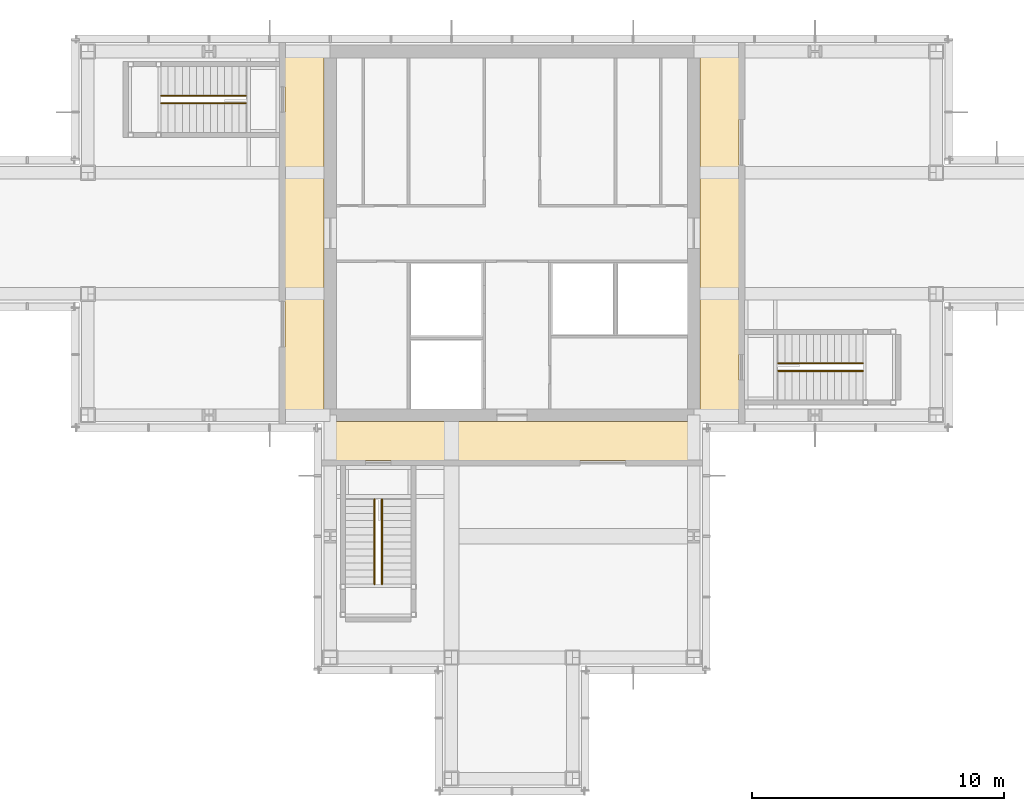
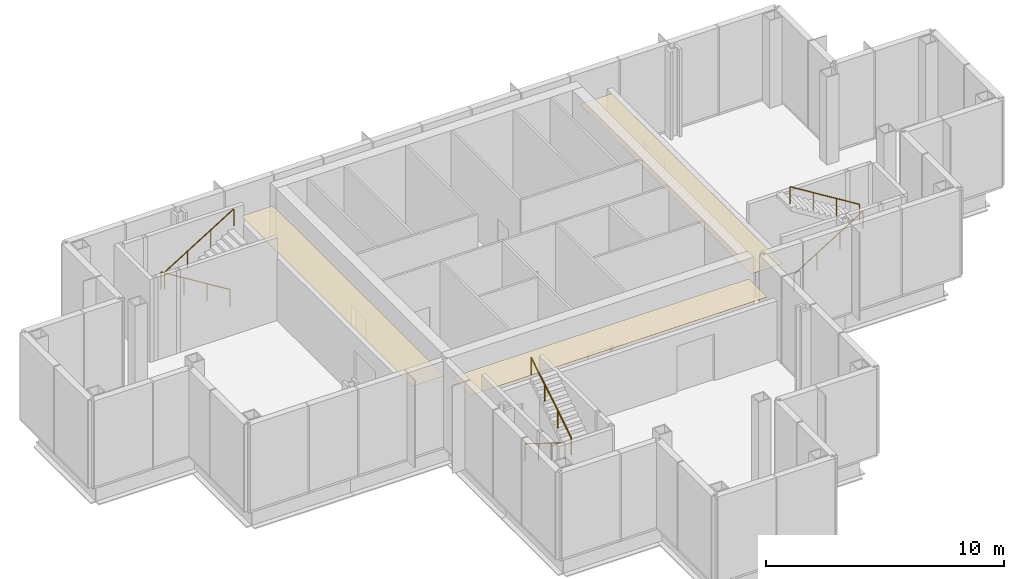
# One storey, part 12 of 12: 6 railings, 3 coverings.
"""IFC4 building model written with IfcOpenShell, lengths in metres."""

from ifc_helpers import new_model, si_unit, direction, frame, origin, origin_2d, place, context, subcontext, project, spatial, polyline, circle, outline, extrude, material, layer, layer_set, type_object, element, save


model = new_model("IFC4")

# Units and contexts
model_context = context("Model", 3, precision=1e-05, world=origin(), true_north=direction((0.0, 1.0)))
body_context = subcontext(model_context, "Body", "Model", "MODEL_VIEW")
ifc_project = project(units=[si_unit("LENGTHUNIT", "METRE"), si_unit("AREAUNIT", "SQUARE_METRE"), si_unit("VOLUMEUNIT", "CUBIC_METRE"), si_unit("PLANEANGLEUNIT", "RADIAN"), si_unit("MASSUNIT", "GRAM", prefix="KILO")], contexts=[model_context])

# Site, building, storey
site_placement = place(None, origin())
site = spatial("IfcSite", under=ifc_project, at=site_placement, CompositionType="ELEMENT")
building_placement = place(site_placement, origin())
building = spatial("IfcBuilding", under=site, at=building_placement, Name="Kvirike Care Tower", CompositionType="ELEMENT")
storey_placement = place(building_placement, frame((0.0, 0.0, 243.5)))
storey = spatial("IfcBuildingStorey", under=building, at=storey_placement, Name="L67", CompositionType="ELEMENT", Elevation=243.5)

# Coverings
ifc_material_1 = material(Name="Perforated metal ceiling tile", Category="aluminium")
ifc_layer = layer(ifc_material_1, 0.014892578125)
ifc_layer_set = layer_set([ifc_layer], Name="CORRIDOR CEILING 15")
covering_type = type_object("IfcCoveringType", Name="CORRIDOR CEILING 15", PredefinedType="CEILING", material=ifc_layer_set)
covering_1_placement = place(storey_placement, frame((0.0, 0.0, 3.199951171875)))
element("IfcCovering", 1, at=covering_1_placement, inside=storey, type_object=covering_type, Name="Corridor ceiling L67", PredefinedType="CEILING", context=body_context, shape_type="SweptSolid", body=[
    extrude(outline(polyline([(12.60009765625, 43.199951171875), (14.14990234375, 43.199951171875), (14.14990234375, 28.800048828125), (12.60009765625, 28.800048828125), (12.60009765625, 43.199951171875)])), origin(), (0.0, 0.0, 1.0), 0.01513671875),
])
covering_2_placement = place(storey_placement, frame((0.0, 0.0, 3.199951171875)))
element("IfcCovering", 2, at=covering_2_placement, inside=storey, type_object=covering_type, Name="Corridor ceiling L67", PredefinedType="CEILING", context=body_context, shape_type="SweptSolid", body=[
    extrude(outline(polyline([(14.39990234375, 27.0), (14.39990234375, 28.550048828125), (28.800048828125, 28.550048828125), (28.800048828125, 27.0), (14.39990234375, 27.0)])), origin(), (0.0, 0.0, 1.0), 0.01513671875),
])
covering_3_placement = place(storey_placement, frame((0.0, 0.0, 3.199951171875)))
element("IfcCovering", 3, at=covering_3_placement, inside=storey, type_object=covering_type, Name="Corridor ceiling L67", PredefinedType="CEILING", context=body_context, shape_type="SweptSolid", body=[
    extrude(outline(polyline([(30.60009765625, 28.800048828125), (29.050048828125, 28.800048828125), (29.050048828125, 43.199951171875), (30.60009765625, 43.199951171875), (30.60009765625, 28.800048828125)])), origin(), (0.0, 0.0, 1.0), 0.01513671875),
])

# Railings
ifc_material_2 = material(Name="Stainless steel handrail", Category="steel")
railing_type = type_object("IfcRailingType", Name="STAIR HANDRAIL 900", PredefinedType="HANDRAIL", material=ifc_material_2)
railing_1_placement = place(storey_placement, frame((11.06005859375, 41.449951171875, 0.173095703125)))
element("IfcRailing", 4, at=railing_1_placement, inside=storey, type_object=railing_type, Name="Stair 1 handrail L67 flight 1", PredefinedType="HANDRAIL", context=body_context, shape_type="SweptSolid", body=[
    extrude(circle(Radius=0.02490234375, at=origin_2d()), frame((0.0, 0.0, 0.875), z_axis=(-0.850623216509, 0.0, 0.525775754039), x_axis=(0.0, -1.0, 0.0)), (0.0, 0.0, 1.0), 3.9501953125),
    extrude(circle(Radius=0.02001953125, at=origin_2d()), origin(), (0.0, 0.0, 1.0), 0.849853515625),
    extrude(circle(Radius=0.02001953125, at=origin_2d()), frame((-1.1201171875, 0.0, 0.6923828125)), (0.0, 0.0, 1.0), 0.849853515625),
    extrude(circle(Radius=0.02001953125, at=origin_2d()), frame((-2.239990234375, 0.0, 1.384521484375)), (0.0, 0.0, 1.0), 0.849853515625),
    extrude(circle(Radius=0.02001953125, at=origin_2d()), frame((-3.360107421875, 0.0, 2.076904296875)), (0.0, 0.0, 1.0), 0.849853515625),
])
for number, where, name in (
    (5, (7.699951171875, 41.14990234375, 2.423095703125), "Stair 1 handrail L67 flight 2"),
    (6, (32.139892578125, 30.550048828125, 0.173095703125), "Stair 2 handrail L67 flight 1"),
):
    element("IfcRailing", number, at=place(storey_placement, frame(where)), inside=storey, type_object=railing_type, Name=name, PredefinedType="HANDRAIL", context=body_context, shape_type="SweptSolid", body=[
        extrude(circle(Radius=0.02490234375, at=origin_2d()), frame((0.0, 0.0, 0.875), z_axis=(0.850623216509, 0.0, 0.525775754039), x_axis=(0.0, 1.0, 0.0)), (0.0, 0.0, 1.0), 3.9501953125),
        extrude(circle(Radius=0.02001953125, at=origin_2d()), origin(), (0.0, 0.0, 1.0), 0.849853515625),
        extrude(circle(Radius=0.02001953125, at=origin_2d()), frame((1.1201171875, 0.0, 0.6923828125)), (0.0, 0.0, 1.0), 0.849853515625),
        extrude(circle(Radius=0.02001953125, at=origin_2d()), frame((2.239990234375, 0.0, 1.384521484375)), (0.0, 0.0, 1.0), 0.849853515625),
        extrude(circle(Radius=0.02001953125, at=origin_2d()), frame((3.360107421875, 0.0, 2.076904296875)), (0.0, 0.0, 1.0), 0.849853515625),
    ])
railing_2_placement = place(storey_placement, frame((35.5, 30.85009765625, 2.423095703125)))
element("IfcRailing", 7, at=railing_2_placement, inside=storey, type_object=railing_type, Name="Stair 2 handrail L67 flight 2", PredefinedType="HANDRAIL", context=body_context, shape_type="SweptSolid", body=[
    extrude(circle(Radius=0.02490234375, at=origin_2d()), frame((0.0, 0.0, 0.875), z_axis=(-0.850623216509, 0.0, 0.525775754039), x_axis=(0.0, -1.0, 0.0)), (0.0, 0.0, 1.0), 3.9501953125),
    extrude(circle(Radius=0.02001953125, at=origin_2d()), origin(), (0.0, 0.0, 1.0), 0.849853515625),
    extrude(circle(Radius=0.02001953125, at=origin_2d()), frame((-1.1201171875, 0.0, 0.6923828125)), (0.0, 0.0, 1.0), 0.849853515625),
    extrude(circle(Radius=0.02001953125, at=origin_2d()), frame((-2.239990234375, 0.0, 1.384521484375)), (0.0, 0.0, 1.0), 0.849853515625),
    extrude(circle(Radius=0.02001953125, at=origin_2d()), frame((-3.360107421875, 0.0, 2.076904296875)), (0.0, 0.0, 1.0), 0.849853515625),
])
railing_3_placement = place(storey_placement, frame((16.14990234375, 25.4599609375, 0.173095703125)))
element("IfcRailing", 8, at=railing_3_placement, inside=storey, type_object=railing_type, Name="Stair 5 handrail L67 flight 1", PredefinedType="HANDRAIL", context=body_context, shape_type="SweptSolid", body=[
    extrude(circle(Radius=0.02490234375, at=origin_2d()), frame((0.0, 0.0, 0.875), z_axis=(0.0, -0.850606129759, 0.525803396734), x_axis=(1.0, 0.0, 0.0)), (0.0, 0.0, 1.0), 3.949951171875),
    extrude(circle(Radius=0.02001953125, at=origin_2d()), origin(), (0.0, 0.0, 1.0), 0.849853515625),
    extrude(circle(Radius=0.02001953125, at=origin_2d()), frame((0.0, -1.119873046875, 0.6923828125)), (0.0, 0.0, 1.0), 0.849853515625),
    extrude(circle(Radius=0.02001953125, at=origin_2d()), frame((0.0, -2.239990234375, 1.384521484375)), (0.0, 0.0, 1.0), 0.849853515625),
    extrude(circle(Radius=0.02001953125, at=origin_2d()), frame((0.0, -3.35986328125, 2.076904296875)), (0.0, 0.0, 1.0), 0.849853515625),
])
railing_4_placement = place(storey_placement, frame((16.449951171875, 22.10009765625, 2.423095703125)))
element("IfcRailing", 9, at=railing_4_placement, inside=storey, type_object=railing_type, Name="Stair 5 handrail L67 flight 2", PredefinedType="HANDRAIL", context=body_context, shape_type="SweptSolid", body=[
    extrude(circle(Radius=0.02490234375, at=origin_2d()), frame((0.0, 0.0, 0.875), z_axis=(0.0, 0.850606129759, 0.525803396734), x_axis=(-1.0, 0.0, 0.0)), (0.0, 0.0, 1.0), 3.949951171875),
    extrude(circle(Radius=0.02001953125, at=origin_2d()), origin(), (0.0, 0.0, 1.0), 0.849853515625),
    extrude(circle(Radius=0.02001953125, at=origin_2d()), frame((0.0, 1.119873046875, 0.6923828125)), (0.0, 0.0, 1.0), 0.849853515625),
    extrude(circle(Radius=0.02001953125, at=origin_2d()), frame((0.0, 2.239990234375, 1.384521484375)), (0.0, 0.0, 1.0), 0.849853515625),
    extrude(circle(Radius=0.02001953125, at=origin_2d()), frame((0.0, 3.35986328125, 2.076904296875)), (0.0, 0.0, 1.0), 0.849853515625),
])

save(model, "model.ifc")
